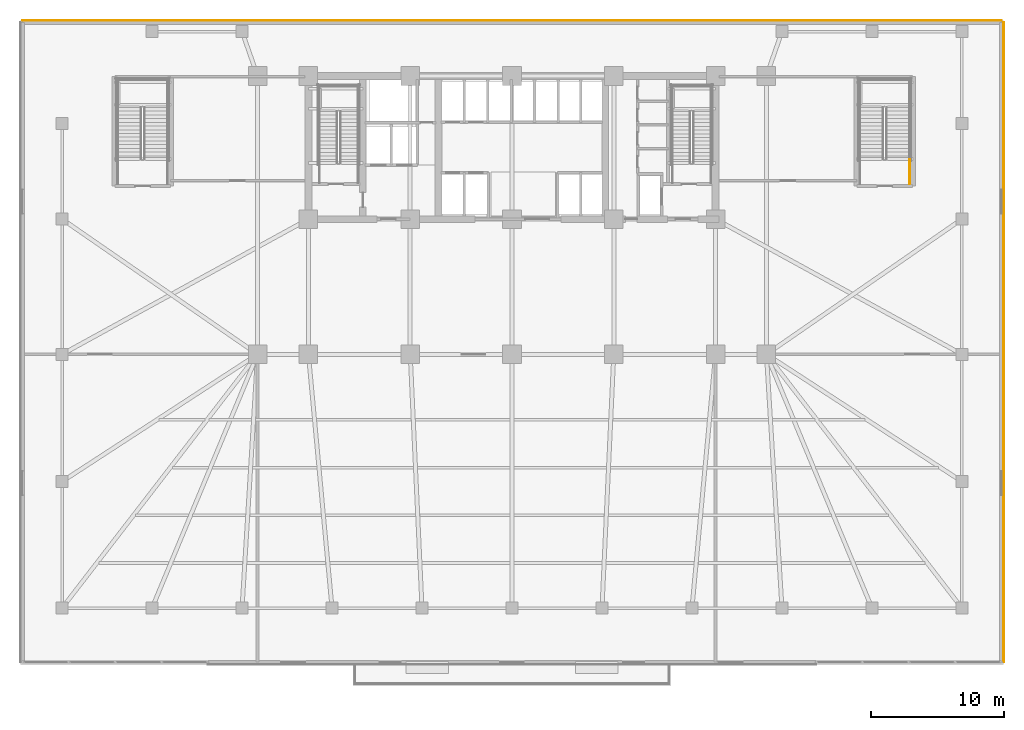
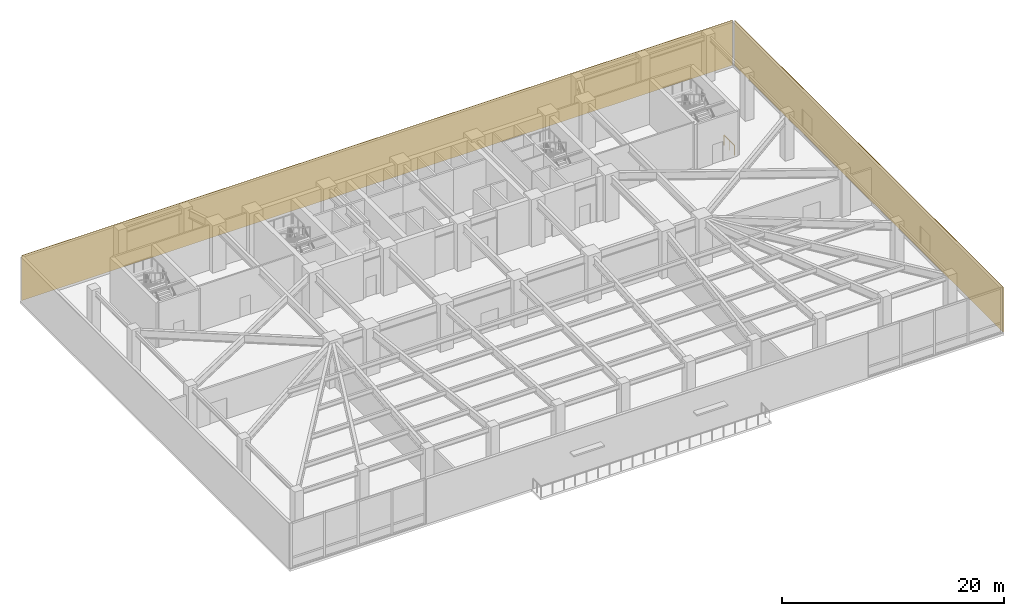
# One storey, part 14 of 15: 2 coverings, 1 railing.
"""IFC4 building model written with IfcOpenShell, lengths in metres."""

from ifc_helpers import new_model, si_unit, direction, frame, frame_2d, origin, origin_2d, place, context, subcontext, project, spatial, rectangle, circle, extrude, material, layer, layer_set, type_object, element, save


model = new_model("IFC4")

# Units and contexts
model_context = context("Model", 3, precision=1e-05, world=origin(), true_north=direction((0.0, 1.0)))
body_context = subcontext(model_context, "Body", "Model", "MODEL_VIEW")
ifc_project = project(units=[si_unit("LENGTHUNIT", "METRE"), si_unit("AREAUNIT", "SQUARE_METRE"), si_unit("VOLUMEUNIT", "CUBIC_METRE"), si_unit("PLANEANGLEUNIT", "RADIAN"), si_unit("MASSUNIT", "GRAM", prefix="KILO")], contexts=[model_context])

# Site, building, storey
site_placement = place(None, origin())
site = spatial("IfcSite", under=ifc_project, at=site_placement, CompositionType="ELEMENT")
building_placement = place(site_placement, origin())
building = spatial("IfcBuilding", under=site, at=building_placement, Name="Yelkora Congress Tower", CompositionType="ELEMENT")
storey_placement = place(building_placement, frame((0.0, 0.0, 10.39990234375)))
storey = spatial("IfcBuildingStorey", under=building, at=storey_placement, Name="L02", CompositionType="ELEMENT", Elevation=10.39990234375)

# Coverings
ifc_material_1 = material(Name="Anatolian honed limestone ashlar", Category="masonry")
ifc_layer_1 = layer(ifc_material_1, 0.050048828125)
ifc_layer_set_1 = layer_set([ifc_layer_1], Name="Anatolian honed limestone ashlar")
covering_type = type_object("IfcCoveringType", Name="COV-CLAD-LIMESTONE-50", PredefinedType="CLADDING", material=ifc_layer_set_1)
covering_1_placement = place(storey_placement, frame((1.4599609375, 50.39990234375, 0.0), z_axis=(0.0, 0.0, 1.0), x_axis=(1.0, 0.0, 0.0)))
element("IfcCovering", 1, at=covering_1_placement, inside=storey, type_object=covering_type, Name="L02 Anatolian Limestone Cladding EW-L02-E02", PredefinedType="CLADDING", context=body_context, shape_type="SweptSolid", body=[
    extrude(rectangle(XDim=73.880126953125, YDim=0.050048828125, at=frame_2d((36.93994140625, 0.0))), origin(), (0.0, 0.0, 1.0), 4.940185546875),
])
covering_2_placement = place(storey_placement, frame((75.5, 50.239990234375, 0.0), z_axis=(0.0, 0.0, 1.0), x_axis=(0.0, -1.0, 0.0)))
element("IfcCovering", 2, at=covering_2_placement, inside=storey, type_object=covering_type, Name="L02 Anatolian Limestone Cladding EW-L02-E03", PredefinedType="CLADDING", context=body_context, shape_type="SweptSolid", body=[
    extrude(rectangle(XDim=48.280029296875, YDim=0.050048828125, at=frame_2d((24.14013671875, 0.0))), origin(), (0.0, 0.0, 1.0), 4.940185546875),
])

# Railing
ifc_material_2 = material(Name="Painted galvanised steel stair well guard with vertical infill", Category="steel")
ifc_layer_2 = layer(ifc_material_2, 0.06005859375)
ifc_layer_set_2 = layer_set([ifc_layer_2], Name="Painted galvanised steel stair well guard with vertical infill")
railing_type = type_object("IfcRailingType", Name="RAIL-STAIR-GUARD-1120", PredefinedType="GUARDRAIL", material=ifc_layer_set_2)
railing_placement = place(storey_placement, frame((68.409912109375, 38.050048828125, 0.0)))
element("IfcRailing", 3, at=railing_placement, inside=storey, type_object=railing_type, Name="ST-P2 L02 Stair Well Guardrail 8", PredefinedType="GUARDRAIL", context=body_context, shape_type="SweptSolid", body=[
    extrude(circle(Radius=0.02392578125, at=origin_2d()), frame((0.0, 0.0, 1.09619140625), z_axis=(0.0, 1.0, 0.0), x_axis=(-1.0, 0.0, 0.0)), (0.0, 0.0, 1.0), 1.849853515625),
    extrude(circle(Radius=0.02099609375, at=origin_2d()), origin(), (0.0, 0.0, 1.0), 1.072021484375),
    extrude(circle(Radius=0.02099609375, at=origin_2d()), frame((0.0, 0.9248046875, 0.0)), (0.0, 0.0, 1.0), 1.072021484375),
    extrude(circle(Radius=0.02099609375, at=origin_2d()), frame((0.0, 1.849853515625, 0.0)), (0.0, 0.0, 1.0), 1.072021484375),
])

save(model, "model.ifc")
